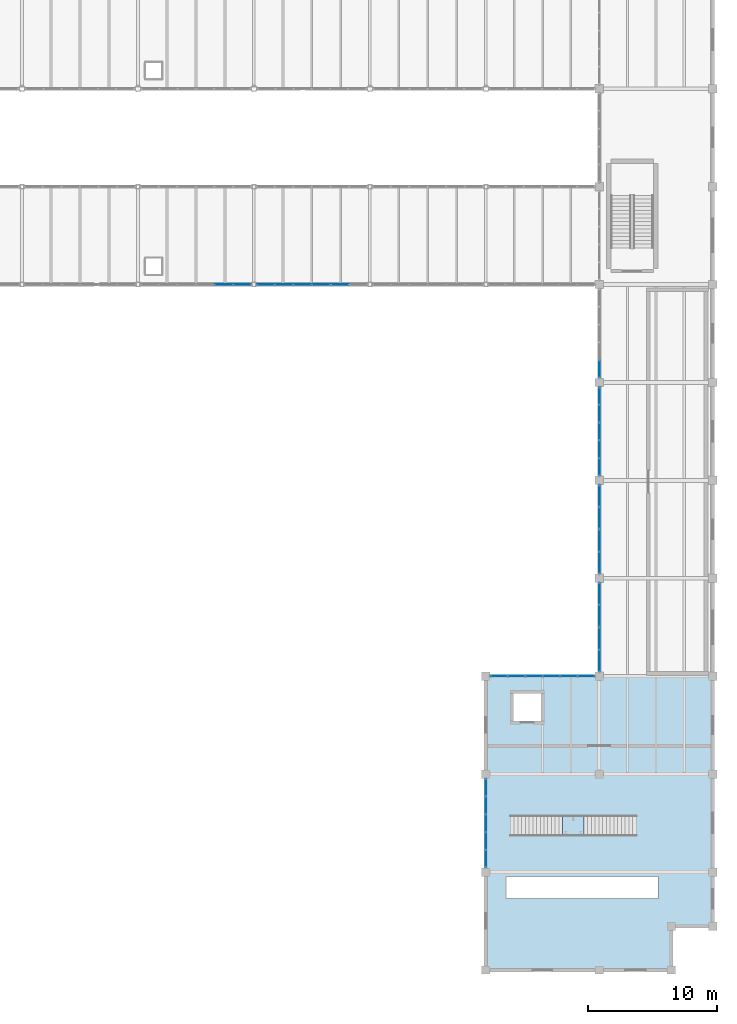
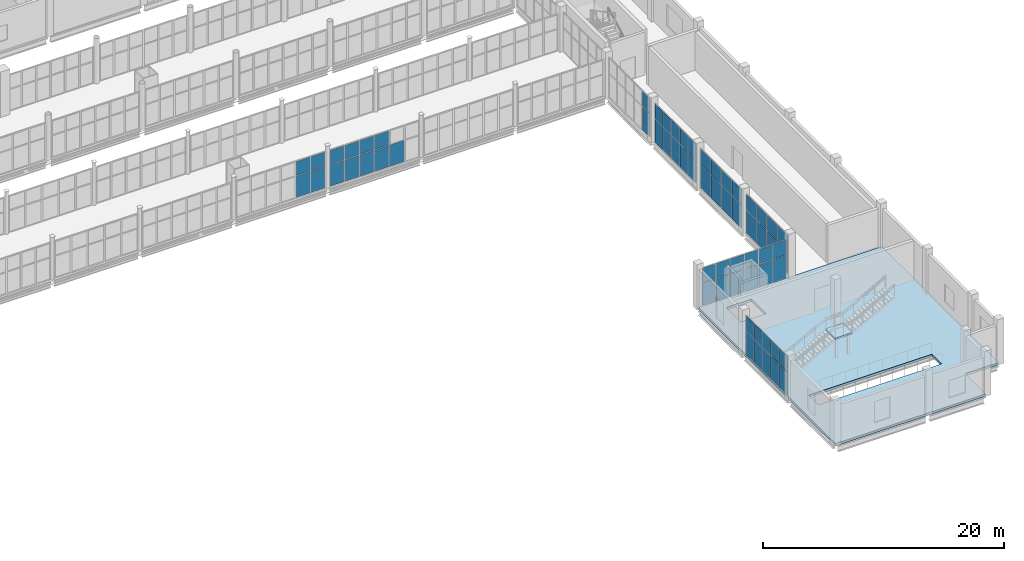
# One storey, part 137 of 172: 63 plates, 2 slabs, 11 elements without a shape of their own.
"""IFC4 building model written with IfcOpenShell, lengths in metres."""

from ifc_helpers import new_model, si_unit, direction, frame, origin, origin_2d, place, context, subcontext, project, spatial, polyline, rectangle, outline, extrude, material, layer, layer_set, type_object, element, aggregate, save


model = new_model("IFC4")

# Units and contexts
model_context = context("Model", 3, precision=1e-05, world=origin(), true_north=direction((0.0, 1.0)))
body_context = subcontext(model_context, "Body", "Model", "MODEL_VIEW")
ifc_project = project(units=[si_unit("LENGTHUNIT", "METRE"), si_unit("AREAUNIT", "SQUARE_METRE"), si_unit("VOLUMEUNIT", "CUBIC_METRE"), si_unit("PLANEANGLEUNIT", "RADIAN"), si_unit("MASSUNIT", "GRAM", prefix="KILO")], contexts=[model_context])

# Site, building, storey
site_placement = place(None, origin())
site = spatial("IfcSite", under=ifc_project, at=site_placement, CompositionType="ELEMENT")
building_placement = place(site_placement, origin())
building = spatial("IfcBuilding", under=site, at=building_placement, Name="Shengluoqiao Park Theatre", CompositionType="ELEMENT")
storey_placement = place(building_placement, frame((0.0, 0.0, 5.39990234375)))
storey = spatial("IfcBuildingStorey", under=building, at=storey_placement, Name="L01", CompositionType="ELEMENT", Elevation=5.39990234375)

# Curtain wall, plates
ifc_material_1 = material(Name="Aluminium 6063-T6", Category="aluminium")
curtain_wall_type_1 = type_object("IfcCurtainWallType", Name="ENV-CW-BRIDGE", PredefinedType="NOTDEFINED", material=ifc_material_1)
curtain_wall_1_placement = place(storey_placement, origin())
curtain_wall_1 = element("IfcCurtainWall", 1, at=curtain_wall_1_placement, inside=storey, type_object=curtain_wall_type_1, Name="L01 Curtain Wall CWX-L01-0132", PredefinedType="NOTDEFINED")
ifc_material_2 = material(Name="Insulated glass", Category="glass")
ifc_layer_1 = layer(ifc_material_2, 0.0380859375, Name="Insulated glass")
ifc_layer_set_1 = layer_set([ifc_layer_1], Name="Insulated glass")
plate_type = type_object("IfcPlateType", Name="ENV-GLZ-GL-38", PredefinedType="CURTAIN_PANEL", material=ifc_layer_set_1)
plate_1_placement = place(storey_placement, frame((128.05908203125, 53.199951171875, 0.06005859375), z_axis=(0.0, 0.0, 1.0), x_axis=(1.0, 0.0, 0.0)))
plate_1 = element("IfcPlate", 2, at=plate_1_placement, type_object=plate_type, Name="CW-03 panel 5.1", PredefinedType="CURTAIN_PANEL", context=body_context, shape_type="SweptSolid", body=[
    extrude(rectangle(XDim=1.37939453125, YDim=0.0380859375, at=origin_2d()), origin(), (0.0, 0.0, 1.0), 2.160888671875),
])
plate_2_placement = place(storey_placement, frame((128.05908203125, 53.199951171875, 2.28125), z_axis=(0.0, 0.0, 1.0), x_axis=(1.0, 0.0, 0.0)))
plate_2 = element("IfcPlate", 3, at=plate_2_placement, type_object=plate_type, Name="CW-03 panel 5.2", PredefinedType="CURTAIN_PANEL", context=body_context, shape_type="SweptSolid", body=[
    extrude(rectangle(XDim=1.37939453125, YDim=0.0380859375, at=origin_2d()), origin(), (0.0, 0.0, 1.0), 1.410888671875),
])
plate_3_placement = place(storey_placement, frame((129.4833984375, 53.199951171875, 0.06005859375), z_axis=(0.0, 0.0, 1.0), x_axis=(1.0, 0.0, 0.0)))
plate_3 = element("IfcPlate", 4, at=plate_3_placement, type_object=plate_type, Name="CW-03 panel 6.1", PredefinedType="CURTAIN_PANEL", context=body_context, shape_type="SweptSolid", body=[
    extrude(rectangle(XDim=1.349365234375, YDim=0.0380859375, at=origin_2d()), origin(), (0.0, 0.0, 1.0), 2.160888671875),
])
plate_4_placement = place(storey_placement, frame((129.4833984375, 53.199951171875, 2.28125), z_axis=(0.0, 0.0, 1.0), x_axis=(1.0, 0.0, 0.0)))
plate_4 = element("IfcPlate", 5, at=plate_4_placement, type_object=plate_type, Name="CW-03 panel 6.2", PredefinedType="CURTAIN_PANEL", context=body_context, shape_type="SweptSolid", body=[
    extrude(rectangle(XDim=1.349365234375, YDim=0.0380859375, at=origin_2d()), origin(), (0.0, 0.0, 1.0), 1.410888671875),
])
aggregate(curtain_wall_1, [plate_1, plate_2, plate_3, plate_4])

curtain_wall_2_placement = place(storey_placement, origin())
curtain_wall_2 = element("IfcCurtainWall", 6, at=curtain_wall_2_placement, inside=storey, type_object=curtain_wall_type_1, Name="L01 Curtain Wall CWX-L01-0133", PredefinedType="NOTDEFINED")
plate_5_placement = place(storey_placement, frame((131.316650390625, 53.199951171875, 0.06005859375), z_axis=(0.0, 0.0, 1.0), x_axis=(1.0, 0.0, 0.0)))
plate_5 = element("IfcPlate", 7, at=plate_5_placement, type_object=plate_type, Name="CW-03 panel 1.1", PredefinedType="CURTAIN_PANEL", context=body_context, shape_type="SweptSolid", body=[
    extrude(rectangle(XDim=1.349365234375, YDim=0.0380859375, at=origin_2d()), origin(), (0.0, 0.0, 1.0), 2.160888671875),
])
plate_6_placement = place(storey_placement, frame((131.316650390625, 53.199951171875, 2.28125), z_axis=(0.0, 0.0, 1.0), x_axis=(1.0, 0.0, 0.0)))
plate_6 = element("IfcPlate", 8, at=plate_6_placement, type_object=plate_type, Name="CW-03 panel 1.2", PredefinedType="CURTAIN_PANEL", context=body_context, shape_type="SweptSolid", body=[
    extrude(rectangle(XDim=1.349365234375, YDim=0.0380859375, at=origin_2d()), origin(), (0.0, 0.0, 1.0), 1.410888671875),
])
plate_7_placement = place(storey_placement, frame((132.740966796875, 53.199951171875, 0.06005859375), z_axis=(0.0, 0.0, 1.0), x_axis=(1.0, 0.0, 0.0)))
plate_7 = element("IfcPlate", 9, at=plate_7_placement, type_object=plate_type, Name="CW-03 panel 2.1", PredefinedType="CURTAIN_PANEL", context=body_context, shape_type="SweptSolid", body=[
    extrude(rectangle(XDim=1.37939453125, YDim=0.0380859375, at=origin_2d()), origin(), (0.0, 0.0, 1.0), 2.160888671875),
])
plate_8_placement = place(storey_placement, frame((132.740966796875, 53.199951171875, 2.28125), z_axis=(0.0, 0.0, 1.0), x_axis=(1.0, 0.0, 0.0)))
plate_8 = element("IfcPlate", 10, at=plate_8_placement, type_object=plate_type, Name="CW-03 panel 2.2", PredefinedType="CURTAIN_PANEL", context=body_context, shape_type="SweptSolid", body=[
    extrude(rectangle(XDim=1.37939453125, YDim=0.0380859375, at=origin_2d()), origin(), (0.0, 0.0, 1.0), 1.410888671875),
])
plate_9_placement = place(storey_placement, frame((134.180419921875, 53.199951171875, 0.06005859375), z_axis=(0.0, 0.0, 1.0), x_axis=(1.0, 0.0, 0.0)))
plate_9 = element("IfcPlate", 11, at=plate_9_placement, type_object=plate_type, Name="CW-03 panel 3.1", PredefinedType="CURTAIN_PANEL", context=body_context, shape_type="SweptSolid", body=[
    extrude(rectangle(XDim=1.37939453125, YDim=0.0380859375, at=origin_2d()), origin(), (0.0, 0.0, 1.0), 2.160888671875),
])
plate_10_placement = place(storey_placement, frame((134.180419921875, 53.199951171875, 2.28125), z_axis=(0.0, 0.0, 1.0), x_axis=(1.0, 0.0, 0.0)))
plate_10 = element("IfcPlate", 12, at=plate_10_placement, type_object=plate_type, Name="CW-03 panel 3.2", PredefinedType="CURTAIN_PANEL", context=body_context, shape_type="SweptSolid", body=[
    extrude(rectangle(XDim=1.37939453125, YDim=0.0380859375, at=origin_2d()), origin(), (0.0, 0.0, 1.0), 1.410888671875),
])
plate_11_placement = place(storey_placement, frame((135.61962890625, 53.199951171875, 0.06005859375), z_axis=(0.0, 0.0, 1.0), x_axis=(1.0, 0.0, 0.0)))
plate_11 = element("IfcPlate", 13, at=plate_11_placement, type_object=plate_type, Name="CW-03 panel 4.1", PredefinedType="CURTAIN_PANEL", context=body_context, shape_type="SweptSolid", body=[
    extrude(rectangle(XDim=1.37939453125, YDim=0.0380859375, at=origin_2d()), origin(), (0.0, 0.0, 1.0), 2.160888671875),
])
plate_12_placement = place(storey_placement, frame((135.61962890625, 53.199951171875, 2.28125), z_axis=(0.0, 0.0, 1.0), x_axis=(1.0, 0.0, 0.0)))
plate_12 = element("IfcPlate", 14, at=plate_12_placement, type_object=plate_type, Name="CW-03 panel 4.2", PredefinedType="CURTAIN_PANEL", context=body_context, shape_type="SweptSolid", body=[
    extrude(rectangle(XDim=1.37939453125, YDim=0.0380859375, at=origin_2d()), origin(), (0.0, 0.0, 1.0), 1.410888671875),
])
plate_13_placement = place(storey_placement, frame((137.05908203125, 53.199951171875, 0.06005859375), z_axis=(0.0, 0.0, 1.0), x_axis=(1.0, 0.0, 0.0)))
plate_13 = element("IfcPlate", 15, at=plate_13_placement, type_object=plate_type, Name="CW-03 panel 5.1", PredefinedType="CURTAIN_PANEL", context=body_context, shape_type="SweptSolid", body=[
    extrude(rectangle(XDim=1.37939453125, YDim=0.0380859375, at=origin_2d()), origin(), (0.0, 0.0, 1.0), 2.160888671875),
])
aggregate(curtain_wall_2, [plate_5, plate_6, plate_7, plate_8, plate_9, plate_10, plate_11, plate_12, plate_13])

curtain_wall_type_2 = type_object("IfcCurtainWallType", Name="ENV-CW-COURT", PredefinedType="NOTDEFINED", material=ifc_material_1)
curtain_wall_3_placement = place(storey_placement, origin())
curtain_wall_3 = element("IfcCurtainWall", 16, at=curtain_wall_3_placement, inside=storey, type_object=curtain_wall_type_2, Name="L01 Curtain Wall CWX-L01-0179", PredefinedType="NOTDEFINED")
plate_14_placement = place(storey_placement, frame((157.199951171875, 24.01171875, 0.06005859375), z_axis=(0.0, 0.0, 1.0), x_axis=(0.0, 1.0, 0.0)))
plate_14 = element("IfcPlate", 17, at=plate_14_placement, type_object=plate_type, Name="CW-05 panel 1.1", PredefinedType="CURTAIN_PANEL", context=body_context, shape_type="SweptSolid", body=[
    extrude(rectangle(XDim=1.6455078125, YDim=0.0380859375, at=origin_2d()), origin(), (0.0, 0.0, 1.0), 2.3359375),
])
plate_15_placement = place(storey_placement, frame((157.199951171875, 24.01171875, 2.4560546875), z_axis=(0.0, 0.0, 1.0), x_axis=(0.0, 1.0, 0.0)))
plate_15 = element("IfcPlate", 18, at=plate_15_placement, type_object=plate_type, Name="CW-05 panel 1.2", PredefinedType="CURTAIN_PANEL", context=body_context, shape_type="SweptSolid", body=[
    extrude(rectangle(XDim=1.6455078125, YDim=0.0380859375, at=origin_2d()), origin(), (0.0, 0.0, 1.0), 1.528076171875),
])
plate_16_placement = place(storey_placement, frame((157.199951171875, 25.71728515625, 0.06005859375), z_axis=(0.0, 0.0, 1.0), x_axis=(0.0, 1.0, 0.0)))
plate_16 = element("IfcPlate", 19, at=plate_16_placement, type_object=plate_type, Name="CW-05 panel 2.1", PredefinedType="CURTAIN_PANEL", context=body_context, shape_type="SweptSolid", body=[
    extrude(rectangle(XDim=1.6455078125, YDim=0.0380859375, at=origin_2d()), origin(), (0.0, 0.0, 1.0), 2.3359375),
])
plate_17_placement = place(storey_placement, frame((157.199951171875, 25.71728515625, 2.4560546875), z_axis=(0.0, 0.0, 1.0), x_axis=(0.0, 1.0, 0.0)))
plate_17 = element("IfcPlate", 20, at=plate_17_placement, type_object=plate_type, Name="CW-05 panel 2.2", PredefinedType="CURTAIN_PANEL", context=body_context, shape_type="SweptSolid", body=[
    extrude(rectangle(XDim=1.6455078125, YDim=0.0380859375, at=origin_2d()), origin(), (0.0, 0.0, 1.0), 1.528076171875),
])
aggregate(curtain_wall_3, [plate_14, plate_15, plate_16, plate_17])

curtain_wall_4_placement = place(storey_placement, origin())
curtain_wall_4 = element("IfcCurtainWall", 21, at=curtain_wall_4_placement, inside=storey, type_object=curtain_wall_type_2, Name="L01 Curtain Wall CWX-L01-0180", PredefinedType="NOTDEFINED")
plate_18_placement = place(storey_placement, frame((157.199951171875, 27.482666015625, 0.06005859375), z_axis=(0.0, 0.0, 1.0), x_axis=(0.0, 1.0, 0.0)))
plate_18 = element("IfcPlate", 22, at=plate_18_placement, type_object=plate_type, Name="CW-05 panel 1.1", PredefinedType="CURTAIN_PANEL", context=body_context, shape_type="SweptSolid", body=[
    extrude(rectangle(XDim=1.6455078125, YDim=0.0380859375, at=origin_2d()), origin(), (0.0, 0.0, 1.0), 2.3359375),
])
plate_19_placement = place(storey_placement, frame((157.199951171875, 27.482666015625, 2.4560546875), z_axis=(0.0, 0.0, 1.0), x_axis=(0.0, 1.0, 0.0)))
plate_19 = element("IfcPlate", 23, at=plate_19_placement, type_object=plate_type, Name="CW-05 panel 1.2", PredefinedType="CURTAIN_PANEL", context=body_context, shape_type="SweptSolid", body=[
    extrude(rectangle(XDim=1.6455078125, YDim=0.0380859375, at=origin_2d()), origin(), (0.0, 0.0, 1.0), 1.528076171875),
])
plate_20_placement = place(storey_placement, frame((157.199951171875, 29.188232421875, 0.06005859375), z_axis=(0.0, 0.0, 1.0), x_axis=(0.0, 1.0, 0.0)))
plate_20 = element("IfcPlate", 24, at=plate_20_placement, type_object=plate_type, Name="CW-05 panel 2.1", PredefinedType="CURTAIN_PANEL", context=body_context, shape_type="SweptSolid", body=[
    extrude(rectangle(XDim=1.6455078125, YDim=0.0380859375, at=origin_2d()), origin(), (0.0, 0.0, 1.0), 2.3359375),
])
plate_21_placement = place(storey_placement, frame((157.199951171875, 29.188232421875, 2.4560546875), z_axis=(0.0, 0.0, 1.0), x_axis=(0.0, 1.0, 0.0)))
plate_21 = element("IfcPlate", 25, at=plate_21_placement, type_object=plate_type, Name="CW-05 panel 2.2", PredefinedType="CURTAIN_PANEL", context=body_context, shape_type="SweptSolid", body=[
    extrude(rectangle(XDim=1.6455078125, YDim=0.0380859375, at=origin_2d()), origin(), (0.0, 0.0, 1.0), 1.528076171875),
])
aggregate(curtain_wall_4, [plate_18, plate_19, plate_20, plate_21])

curtain_wall_5_placement = place(storey_placement, origin())
curtain_wall_5 = element("IfcCurtainWall", 26, at=curtain_wall_5_placement, inside=storey, type_object=curtain_wall_type_2, Name="L01 Curtain Wall CWX-L01-0181", PredefinedType="NOTDEFINED")
plate_22_placement = place(storey_placement, frame((157.199951171875, 31.61181640625, 0.06005859375), z_axis=(0.0, 0.0, 1.0), x_axis=(0.0, 1.0, 0.0)))
plate_22 = element("IfcPlate", 27, at=plate_22_placement, type_object=plate_type, Name="CW-05 panel 1.1", PredefinedType="CURTAIN_PANEL", context=body_context, shape_type="SweptSolid", body=[
    extrude(rectangle(XDim=1.6455078125, YDim=0.0380859375, at=origin_2d()), origin(), (0.0, 0.0, 1.0), 2.3359375),
])
plate_23_placement = place(storey_placement, frame((157.199951171875, 31.61181640625, 2.4560546875), z_axis=(0.0, 0.0, 1.0), x_axis=(0.0, 1.0, 0.0)))
plate_23 = element("IfcPlate", 28, at=plate_23_placement, type_object=plate_type, Name="CW-05 panel 1.2", PredefinedType="CURTAIN_PANEL", context=body_context, shape_type="SweptSolid", body=[
    extrude(rectangle(XDim=1.6455078125, YDim=0.0380859375, at=origin_2d()), origin(), (0.0, 0.0, 1.0), 1.528076171875),
])
plate_24_placement = place(storey_placement, frame((157.199951171875, 33.317138671875, 0.06005859375), z_axis=(0.0, 0.0, 1.0), x_axis=(0.0, 1.0, 0.0)))
plate_24 = element("IfcPlate", 29, at=plate_24_placement, type_object=plate_type, Name="CW-05 panel 2.1", PredefinedType="CURTAIN_PANEL", context=body_context, shape_type="SweptSolid", body=[
    extrude(rectangle(XDim=1.6455078125, YDim=0.0380859375, at=origin_2d()), origin(), (0.0, 0.0, 1.0), 2.3359375),
])
plate_25_placement = place(storey_placement, frame((157.199951171875, 33.317138671875, 2.4560546875), z_axis=(0.0, 0.0, 1.0), x_axis=(0.0, 1.0, 0.0)))
plate_25 = element("IfcPlate", 30, at=plate_25_placement, type_object=plate_type, Name="CW-05 panel 2.2", PredefinedType="CURTAIN_PANEL", context=body_context, shape_type="SweptSolid", body=[
    extrude(rectangle(XDim=1.6455078125, YDim=0.0380859375, at=origin_2d()), origin(), (0.0, 0.0, 1.0), 1.528076171875),
])
aggregate(curtain_wall_5, [plate_22, plate_23, plate_24, plate_25])

curtain_wall_6_placement = place(storey_placement, origin())
curtain_wall_6 = element("IfcCurtainWall", 31, at=curtain_wall_6_placement, inside=storey, type_object=curtain_wall_type_2, Name="L01 Curtain Wall CWX-L01-0182", PredefinedType="NOTDEFINED")
plate_26_placement = place(storey_placement, frame((157.199951171875, 35.082763671875, 0.06005859375), z_axis=(0.0, 0.0, 1.0), x_axis=(0.0, 1.0, 0.0)))
plate_26 = element("IfcPlate", 32, at=plate_26_placement, type_object=plate_type, Name="CW-05 panel 1.1", PredefinedType="CURTAIN_PANEL", context=body_context, shape_type="SweptSolid", body=[
    extrude(rectangle(XDim=1.6455078125, YDim=0.0380859375, at=origin_2d()), origin(), (0.0, 0.0, 1.0), 2.3359375),
])
plate_27_placement = place(storey_placement, frame((157.199951171875, 35.082763671875, 2.4560546875), z_axis=(0.0, 0.0, 1.0), x_axis=(0.0, 1.0, 0.0)))
plate_27 = element("IfcPlate", 33, at=plate_27_placement, type_object=plate_type, Name="CW-05 panel 1.2", PredefinedType="CURTAIN_PANEL", context=body_context, shape_type="SweptSolid", body=[
    extrude(rectangle(XDim=1.6455078125, YDim=0.0380859375, at=origin_2d()), origin(), (0.0, 0.0, 1.0), 1.528076171875),
])
plate_28_placement = place(storey_placement, frame((157.199951171875, 36.788330078125, 0.06005859375), z_axis=(0.0, 0.0, 1.0), x_axis=(0.0, 1.0, 0.0)))
plate_28 = element("IfcPlate", 34, at=plate_28_placement, type_object=plate_type, Name="CW-05 panel 2.1", PredefinedType="CURTAIN_PANEL", context=body_context, shape_type="SweptSolid", body=[
    extrude(rectangle(XDim=1.6455078125, YDim=0.0380859375, at=origin_2d()), origin(), (0.0, 0.0, 1.0), 2.3359375),
])
plate_29_placement = place(storey_placement, frame((157.199951171875, 36.788330078125, 2.4560546875), z_axis=(0.0, 0.0, 1.0), x_axis=(0.0, 1.0, 0.0)))
plate_29 = element("IfcPlate", 35, at=plate_29_placement, type_object=plate_type, Name="CW-05 panel 2.2", PredefinedType="CURTAIN_PANEL", context=body_context, shape_type="SweptSolid", body=[
    extrude(rectangle(XDim=1.6455078125, YDim=0.0380859375, at=origin_2d()), origin(), (0.0, 0.0, 1.0), 1.528076171875),
])
aggregate(curtain_wall_6, [plate_26, plate_27, plate_28, plate_29])

curtain_wall_7_placement = place(storey_placement, origin())
curtain_wall_7 = element("IfcCurtainWall", 36, at=curtain_wall_7_placement, inside=storey, type_object=curtain_wall_type_2, Name="L01 Curtain Wall CWX-L01-0183", PredefinedType="NOTDEFINED")
plate_30_placement = place(storey_placement, frame((157.199951171875, 39.0380859375, 0.06005859375), z_axis=(0.0, 0.0, 1.0), x_axis=(0.0, 1.0, 0.0)))
plate_30 = element("IfcPlate", 37, at=plate_30_placement, type_object=plate_type, Name="CW-05 panel 1.1", PredefinedType="CURTAIN_PANEL", context=body_context, shape_type="SweptSolid", body=[
    extrude(rectangle(XDim=1.29833984375, YDim=0.0380859375, at=origin_2d()), origin(), (0.0, 0.0, 1.0), 2.3359375),
])
plate_31_placement = place(storey_placement, frame((157.199951171875, 39.0380859375, 2.4560546875), z_axis=(0.0, 0.0, 1.0), x_axis=(0.0, 1.0, 0.0)))
plate_31 = element("IfcPlate", 38, at=plate_31_placement, type_object=plate_type, Name="CW-05 panel 1.2", PredefinedType="CURTAIN_PANEL", context=body_context, shape_type="SweptSolid", body=[
    extrude(rectangle(XDim=1.29833984375, YDim=0.0380859375, at=origin_2d()), origin(), (0.0, 0.0, 1.0), 1.528076171875),
])
plate_32_placement = place(storey_placement, frame((157.199951171875, 40.41162109375, 0.06005859375), z_axis=(0.0, 0.0, 1.0), x_axis=(0.0, 1.0, 0.0)))
plate_32 = element("IfcPlate", 39, at=plate_32_placement, type_object=plate_type, Name="CW-05 panel 2.1", PredefinedType="CURTAIN_PANEL", context=body_context, shape_type="SweptSolid", body=[
    extrude(rectangle(XDim=1.328369140625, YDim=0.0380859375, at=origin_2d()), origin(), (0.0, 0.0, 1.0), 2.3359375),
])
plate_33_placement = place(storey_placement, frame((157.199951171875, 40.41162109375, 2.4560546875), z_axis=(0.0, 0.0, 1.0), x_axis=(0.0, 1.0, 0.0)))
plate_33 = element("IfcPlate", 40, at=plate_33_placement, type_object=plate_type, Name="CW-05 panel 2.2", PredefinedType="CURTAIN_PANEL", context=body_context, shape_type="SweptSolid", body=[
    extrude(rectangle(XDim=1.328369140625, YDim=0.0380859375, at=origin_2d()), origin(), (0.0, 0.0, 1.0), 1.528076171875),
])
plate_34_placement = place(storey_placement, frame((157.199951171875, 41.800048828125, 0.06005859375), z_axis=(0.0, 0.0, 1.0), x_axis=(0.0, 1.0, 0.0)))
plate_34 = element("IfcPlate", 41, at=plate_34_placement, type_object=plate_type, Name="CW-05 panel 3.1", PredefinedType="CURTAIN_PANEL", context=body_context, shape_type="SweptSolid", body=[
    extrude(rectangle(XDim=1.328369140625, YDim=0.0380859375, at=origin_2d()), origin(), (0.0, 0.0, 1.0), 2.3359375),
])
plate_35_placement = place(storey_placement, frame((157.199951171875, 41.800048828125, 2.4560546875), z_axis=(0.0, 0.0, 1.0), x_axis=(0.0, 1.0, 0.0)))
plate_35 = element("IfcPlate", 42, at=plate_35_placement, type_object=plate_type, Name="CW-05 panel 3.2", PredefinedType="CURTAIN_PANEL", context=body_context, shape_type="SweptSolid", body=[
    extrude(rectangle(XDim=1.328369140625, YDim=0.0380859375, at=origin_2d()), origin(), (0.0, 0.0, 1.0), 1.528076171875),
])
plate_36_placement = place(storey_placement, frame((157.199951171875, 43.1884765625, 0.06005859375), z_axis=(0.0, 0.0, 1.0), x_axis=(0.0, 1.0, 0.0)))
plate_36 = element("IfcPlate", 43, at=plate_36_placement, type_object=plate_type, Name="CW-05 panel 4.1", PredefinedType="CURTAIN_PANEL", context=body_context, shape_type="SweptSolid", body=[
    extrude(rectangle(XDim=1.328369140625, YDim=0.0380859375, at=origin_2d()), origin(), (0.0, 0.0, 1.0), 2.3359375),
])
plate_37_placement = place(storey_placement, frame((157.199951171875, 43.1884765625, 2.4560546875), z_axis=(0.0, 0.0, 1.0), x_axis=(0.0, 1.0, 0.0)))
plate_37 = element("IfcPlate", 44, at=plate_37_placement, type_object=plate_type, Name="CW-05 panel 4.2", PredefinedType="CURTAIN_PANEL", context=body_context, shape_type="SweptSolid", body=[
    extrude(rectangle(XDim=1.328369140625, YDim=0.0380859375, at=origin_2d()), origin(), (0.0, 0.0, 1.0), 1.528076171875),
])
plate_38_placement = place(storey_placement, frame((157.199951171875, 44.561767578125, 0.06005859375), z_axis=(0.0, 0.0, 1.0), x_axis=(0.0, 1.0, 0.0)))
plate_38 = element("IfcPlate", 45, at=plate_38_placement, type_object=plate_type, Name="CW-05 panel 5.1", PredefinedType="CURTAIN_PANEL", context=body_context, shape_type="SweptSolid", body=[
    extrude(rectangle(XDim=1.29833984375, YDim=0.0380859375, at=origin_2d()), origin(), (0.0, 0.0, 1.0), 2.3359375),
])
plate_39_placement = place(storey_placement, frame((157.199951171875, 44.561767578125, 2.4560546875), z_axis=(0.0, 0.0, 1.0), x_axis=(0.0, 1.0, 0.0)))
plate_39 = element("IfcPlate", 46, at=plate_39_placement, type_object=plate_type, Name="CW-05 panel 5.2", PredefinedType="CURTAIN_PANEL", context=body_context, shape_type="SweptSolid", body=[
    extrude(rectangle(XDim=1.29833984375, YDim=0.0380859375, at=origin_2d()), origin(), (0.0, 0.0, 1.0), 1.528076171875),
])
aggregate(curtain_wall_7, [plate_30, plate_31, plate_32, plate_33, plate_34, plate_35, plate_36, plate_37, plate_38, plate_39])

curtain_wall_8_placement = place(storey_placement, origin())
curtain_wall_8 = element("IfcCurtainWall", 47, at=curtain_wall_8_placement, inside=storey, type_object=curtain_wall_type_2, Name="L01 Curtain Wall CWX-L01-0184", PredefinedType="NOTDEFINED")
plate_40_placement = place(storey_placement, frame((157.199951171875, 46.63818359375, 0.06005859375), z_axis=(0.0, 0.0, 1.0), x_axis=(0.0, 1.0, 0.0)))
plate_40 = element("IfcPlate", 48, at=plate_40_placement, type_object=plate_type, Name="CW-05 panel 1.1", PredefinedType="CURTAIN_PANEL", context=body_context, shape_type="SweptSolid", body=[
    extrude(rectangle(XDim=1.29833984375, YDim=0.0380859375, at=origin_2d()), origin(), (0.0, 0.0, 1.0), 2.3359375),
])
plate_41_placement = place(storey_placement, frame((157.199951171875, 46.63818359375, 2.4560546875), z_axis=(0.0, 0.0, 1.0), x_axis=(0.0, 1.0, 0.0)))
plate_41 = element("IfcPlate", 49, at=plate_41_placement, type_object=plate_type, Name="CW-05 panel 1.2", PredefinedType="CURTAIN_PANEL", context=body_context, shape_type="SweptSolid", body=[
    extrude(rectangle(XDim=1.29833984375, YDim=0.0380859375, at=origin_2d()), origin(), (0.0, 0.0, 1.0), 1.528076171875),
])
aggregate(curtain_wall_8, [plate_40, plate_41])

curtain_wall_9_placement = place(storey_placement, origin())
curtain_wall_9 = element("IfcCurtainWall", 50, at=curtain_wall_9_placement, inside=storey, type_object=curtain_wall_type_2, Name="L01 Curtain Wall CWX-L01-0205", PredefinedType="NOTDEFINED")
plate_42_placement = place(storey_placement, frame((148.39990234375, 8.63818359375, 0.06005859375), z_axis=(0.0, 0.0, 1.0), x_axis=(0.0, 1.0, 0.0)))
plate_42 = element("IfcPlate", 51, at=plate_42_placement, type_object=plate_type, Name="CW-05 panel 1.1", PredefinedType="CURTAIN_PANEL", context=body_context, shape_type="SweptSolid", body=[
    extrude(rectangle(XDim=1.29833984375, YDim=0.0380859375, at=origin_2d()), origin(), (0.0, 0.0, 1.0), 2.3359375),
])
plate_43_placement = place(storey_placement, frame((148.39990234375, 8.63818359375, 2.4560546875), z_axis=(0.0, 0.0, 1.0), x_axis=(0.0, 1.0, 0.0)))
plate_43 = element("IfcPlate", 52, at=plate_43_placement, type_object=plate_type, Name="CW-05 panel 1.2", PredefinedType="CURTAIN_PANEL", context=body_context, shape_type="SweptSolid", body=[
    extrude(rectangle(XDim=1.29833984375, YDim=0.0380859375, at=origin_2d()), origin(), (0.0, 0.0, 1.0), 1.528076171875),
])
plate_44_placement = place(storey_placement, frame((148.39990234375, 10.01171875, 0.06005859375), z_axis=(0.0, 0.0, 1.0), x_axis=(0.0, 1.0, 0.0)))
plate_44 = element("IfcPlate", 53, at=plate_44_placement, type_object=plate_type, Name="CW-05 panel 2.1", PredefinedType="CURTAIN_PANEL", context=body_context, shape_type="SweptSolid", body=[
    extrude(rectangle(XDim=1.328369140625, YDim=0.0380859375, at=origin_2d()), origin(), (0.0, 0.0, 1.0), 2.3359375),
])
plate_45_placement = place(storey_placement, frame((148.39990234375, 10.01171875, 2.4560546875), z_axis=(0.0, 0.0, 1.0), x_axis=(0.0, 1.0, 0.0)))
plate_45 = element("IfcPlate", 54, at=plate_45_placement, type_object=plate_type, Name="CW-05 panel 2.2", PredefinedType="CURTAIN_PANEL", context=body_context, shape_type="SweptSolid", body=[
    extrude(rectangle(XDim=1.328369140625, YDim=0.0380859375, at=origin_2d()), origin(), (0.0, 0.0, 1.0), 1.528076171875),
])
plate_46_placement = place(storey_placement, frame((148.39990234375, 11.39990234375, 0.06005859375), z_axis=(0.0, 0.0, 1.0), x_axis=(0.0, 1.0, 0.0)))
plate_46 = element("IfcPlate", 55, at=plate_46_placement, type_object=plate_type, Name="CW-05 panel 3.1", PredefinedType="CURTAIN_PANEL", context=body_context, shape_type="SweptSolid", body=[
    extrude(rectangle(XDim=1.328369140625, YDim=0.0380859375, at=origin_2d()), origin(), (0.0, 0.0, 1.0), 2.3359375),
])
plate_47_placement = place(storey_placement, frame((148.39990234375, 11.39990234375, 2.4560546875), z_axis=(0.0, 0.0, 1.0), x_axis=(0.0, 1.0, 0.0)))
plate_47 = element("IfcPlate", 56, at=plate_47_placement, type_object=plate_type, Name="CW-05 panel 3.2", PredefinedType="CURTAIN_PANEL", context=body_context, shape_type="SweptSolid", body=[
    extrude(rectangle(XDim=1.328369140625, YDim=0.0380859375, at=origin_2d()), origin(), (0.0, 0.0, 1.0), 1.528076171875),
])
plate_48_placement = place(storey_placement, frame((148.39990234375, 12.788330078125, 0.06005859375), z_axis=(0.0, 0.0, 1.0), x_axis=(0.0, 1.0, 0.0)))
plate_48 = element("IfcPlate", 57, at=plate_48_placement, type_object=plate_type, Name="CW-05 panel 4.1", PredefinedType="CURTAIN_PANEL", context=body_context, shape_type="SweptSolid", body=[
    extrude(rectangle(XDim=1.328369140625, YDim=0.0380859375, at=origin_2d()), origin(), (0.0, 0.0, 1.0), 2.3359375),
])
plate_49_placement = place(storey_placement, frame((148.39990234375, 12.788330078125, 2.4560546875), z_axis=(0.0, 0.0, 1.0), x_axis=(0.0, 1.0, 0.0)))
plate_49 = element("IfcPlate", 58, at=plate_49_placement, type_object=plate_type, Name="CW-05 panel 4.2", PredefinedType="CURTAIN_PANEL", context=body_context, shape_type="SweptSolid", body=[
    extrude(rectangle(XDim=1.328369140625, YDim=0.0380859375, at=origin_2d()), origin(), (0.0, 0.0, 1.0), 1.528076171875),
])
plate_50_placement = place(storey_placement, frame((148.39990234375, 14.161865234375, 0.06005859375), z_axis=(0.0, 0.0, 1.0), x_axis=(0.0, 1.0, 0.0)))
plate_50 = element("IfcPlate", 59, at=plate_50_placement, type_object=plate_type, Name="CW-05 panel 5.1", PredefinedType="CURTAIN_PANEL", context=body_context, shape_type="SweptSolid", body=[
    extrude(rectangle(XDim=1.29833984375, YDim=0.0380859375, at=origin_2d()), origin(), (0.0, 0.0, 1.0), 2.3359375),
])
plate_51_placement = place(storey_placement, frame((148.39990234375, 14.161865234375, 2.4560546875), z_axis=(0.0, 0.0, 1.0), x_axis=(0.0, 1.0, 0.0)))
plate_51 = element("IfcPlate", 60, at=plate_51_placement, type_object=plate_type, Name="CW-05 panel 5.2", PredefinedType="CURTAIN_PANEL", context=body_context, shape_type="SweptSolid", body=[
    extrude(rectangle(XDim=1.29833984375, YDim=0.0380859375, at=origin_2d()), origin(), (0.0, 0.0, 1.0), 1.528076171875),
])
aggregate(curtain_wall_9, [plate_42, plate_43, plate_44, plate_45, plate_46, plate_47, plate_48, plate_49, plate_50, plate_51])

curtain_wall_10_placement = place(storey_placement, origin())
curtain_wall_10 = element("IfcCurtainWall", 61, at=curtain_wall_10_placement, inside=storey, type_object=curtain_wall_type_2, Name="L01 Curtain Wall CWX-L01-0206", PredefinedType="NOTDEFINED")
plate_52_placement = place(storey_placement, frame((149.422607421875, 22.800048828125, 0.06005859375), z_axis=(0.0, 0.0, 1.0), x_axis=(1.0, 0.0, 0.0)))
plate_52 = element("IfcPlate", 62, at=plate_52_placement, type_object=plate_type, Name="CW-05 panel 1.1", PredefinedType="CURTAIN_PANEL", context=body_context, shape_type="SweptSolid", body=[
    extrude(rectangle(XDim=1.26708984375, YDim=0.0380859375, at=origin_2d()), origin(), (0.0, 0.0, 1.0), 2.2490234375),
])
plate_53_placement = place(storey_placement, frame((149.422607421875, 22.800048828125, 2.369140625), z_axis=(0.0, 0.0, 1.0), x_axis=(1.0, 0.0, 0.0)))
plate_53 = element("IfcPlate", 63, at=plate_53_placement, type_object=plate_type, Name="CW-05 panel 1.2", PredefinedType="CURTAIN_PANEL", context=body_context, shape_type="SweptSolid", body=[
    extrude(rectangle(XDim=1.26708984375, YDim=0.0380859375, at=origin_2d()), origin(), (0.0, 0.0, 1.0), 1.468994140625),
])
plate_54_placement = place(storey_placement, frame((150.764404296875, 22.800048828125, 0.06005859375), z_axis=(0.0, 0.0, 1.0), x_axis=(1.0, 0.0, 0.0)))
plate_54 = element("IfcPlate", 64, at=plate_54_placement, type_object=plate_type, Name="CW-05 panel 2.1", PredefinedType="CURTAIN_PANEL", context=body_context, shape_type="SweptSolid", body=[
    extrude(rectangle(XDim=1.297119140625, YDim=0.0380859375, at=origin_2d()), origin(), (0.0, 0.0, 1.0), 2.2490234375),
])
plate_55_placement = place(storey_placement, frame((150.764404296875, 22.800048828125, 2.369140625), z_axis=(0.0, 0.0, 1.0), x_axis=(1.0, 0.0, 0.0)))
plate_55 = element("IfcPlate", 65, at=plate_55_placement, type_object=plate_type, Name="CW-05 panel 2.2", PredefinedType="CURTAIN_PANEL", context=body_context, shape_type="SweptSolid", body=[
    extrude(rectangle(XDim=1.297119140625, YDim=0.0380859375, at=origin_2d()), origin(), (0.0, 0.0, 1.0), 1.468994140625),
])
plate_56_placement = place(storey_placement, frame((152.12158203125, 22.800048828125, 0.06005859375), z_axis=(0.0, 0.0, 1.0), x_axis=(1.0, 0.0, 0.0)))
plate_56 = element("IfcPlate", 66, at=plate_56_placement, type_object=plate_type, Name="CW-05 panel 3.1", PredefinedType="CURTAIN_PANEL", context=body_context, shape_type="SweptSolid", body=[
    extrude(rectangle(XDim=1.297119140625, YDim=0.0380859375, at=origin_2d()), origin(), (0.0, 0.0, 1.0), 2.2490234375),
])
plate_57_placement = place(storey_placement, frame((152.12158203125, 22.800048828125, 2.369140625), z_axis=(0.0, 0.0, 1.0), x_axis=(1.0, 0.0, 0.0)))
plate_57 = element("IfcPlate", 67, at=plate_57_placement, type_object=plate_type, Name="CW-05 panel 3.2", PredefinedType="CURTAIN_PANEL", context=body_context, shape_type="SweptSolid", body=[
    extrude(rectangle(XDim=1.297119140625, YDim=0.0380859375, at=origin_2d()), origin(), (0.0, 0.0, 1.0), 1.468994140625),
])
plate_58_placement = place(storey_placement, frame((153.478515625, 22.800048828125, 0.06005859375), z_axis=(0.0, 0.0, 1.0), x_axis=(1.0, 0.0, 0.0)))
plate_58 = element("IfcPlate", 68, at=plate_58_placement, type_object=plate_type, Name="CW-05 panel 4.1", PredefinedType="CURTAIN_PANEL", context=body_context, shape_type="SweptSolid", body=[
    extrude(rectangle(XDim=1.297119140625, YDim=0.0380859375, at=origin_2d()), origin(), (0.0, 0.0, 1.0), 2.2490234375),
])
plate_59_placement = place(storey_placement, frame((153.478515625, 22.800048828125, 2.369140625), z_axis=(0.0, 0.0, 1.0), x_axis=(1.0, 0.0, 0.0)))
plate_59 = element("IfcPlate", 69, at=plate_59_placement, type_object=plate_type, Name="CW-05 panel 4.2", PredefinedType="CURTAIN_PANEL", context=body_context, shape_type="SweptSolid", body=[
    extrude(rectangle(XDim=1.297119140625, YDim=0.0380859375, at=origin_2d()), origin(), (0.0, 0.0, 1.0), 1.468994140625),
])
plate_60_placement = place(storey_placement, frame((154.83544921875, 22.800048828125, 0.06005859375), z_axis=(0.0, 0.0, 1.0), x_axis=(1.0, 0.0, 0.0)))
plate_60 = element("IfcPlate", 70, at=plate_60_placement, type_object=plate_type, Name="CW-05 panel 5.1", PredefinedType="CURTAIN_PANEL", context=body_context, shape_type="SweptSolid", body=[
    extrude(rectangle(XDim=1.297119140625, YDim=0.0380859375, at=origin_2d()), origin(), (0.0, 0.0, 1.0), 2.2490234375),
])
plate_61_placement = place(storey_placement, frame((154.83544921875, 22.800048828125, 2.369140625), z_axis=(0.0, 0.0, 1.0), x_axis=(1.0, 0.0, 0.0)))
plate_61 = element("IfcPlate", 71, at=plate_61_placement, type_object=plate_type, Name="CW-05 panel 5.2", PredefinedType="CURTAIN_PANEL", context=body_context, shape_type="SweptSolid", body=[
    extrude(rectangle(XDim=1.297119140625, YDim=0.0380859375, at=origin_2d()), origin(), (0.0, 0.0, 1.0), 1.468994140625),
])
plate_62_placement = place(storey_placement, frame((156.177490234375, 22.800048828125, 0.06005859375), z_axis=(0.0, 0.0, 1.0), x_axis=(1.0, 0.0, 0.0)))
plate_62 = element("IfcPlate", 72, at=plate_62_placement, type_object=plate_type, Name="CW-05 panel 6.1", PredefinedType="CURTAIN_PANEL", context=body_context, shape_type="SweptSolid", body=[
    extrude(rectangle(XDim=1.26708984375, YDim=0.0380859375, at=origin_2d()), origin(), (0.0, 0.0, 1.0), 2.2490234375),
])
plate_63_placement = place(storey_placement, frame((156.177490234375, 22.800048828125, 2.369140625), z_axis=(0.0, 0.0, 1.0), x_axis=(1.0, 0.0, 0.0)))
plate_63 = element("IfcPlate", 73, at=plate_63_placement, type_object=plate_type, Name="CW-05 panel 6.2", PredefinedType="CURTAIN_PANEL", context=body_context, shape_type="SweptSolid", body=[
    extrude(rectangle(XDim=1.26708984375, YDim=0.0380859375, at=origin_2d()), origin(), (0.0, 0.0, 1.0), 1.468994140625),
])
aggregate(curtain_wall_10, [plate_52, plate_53, plate_54, plate_55, plate_56, plate_57, plate_58, plate_59, plate_60, plate_61, plate_62, plate_63])

# Stair, slab
ifc_material_3 = material(Name="Steel Q355", Category="steel")
stair_type = type_object("IfcStairType", Name="INT-STR-ST-F160", PredefinedType="STRAIGHT_RUN_STAIR", material=ifc_material_3)
stair_placement = place(storey_placement, origin())
stair = element("IfcStair", 74, at=stair_placement, inside=storey, type_object=stair_type, Name="East Artist Wing Stair 09 Upper", PredefinedType="STRAIGHT_RUN_STAIR")
ifc_material_4 = material(Name="Concrete C40", Category="concrete")
ifc_layer_2 = layer(ifc_material_4, 0.169921875, Name="Concrete C40")
ifc_layer_set_2 = layer_set([ifc_layer_2], Name="Concrete C40")
slab_type_1 = type_object("IfcSlabType", Name="INT-LND-SL-170", PredefinedType="LANDING", material=ifc_layer_set_2)
slab_1_placement = place(storey_placement, frame((0.0, 0.0, 2.130126953125)))
slab_1 = element("IfcSlab", 75, at=slab_1_placement, type_object=slab_type_1, Name="ST-09 landing 1", PredefinedType="LANDING", context=body_context, shape_type="SweptSolid", body=[
    extrude(outline(polyline([(154.360107421875, 10.39990234375), (156.010009765625, 10.39990234375), (156.010009765625, 12.0), (154.360107421875, 12.0), (154.360107421875, 10.39990234375)])), origin(), (0.0, 0.0, 1.0), 0.169921875),
])
aggregate(stair, [slab_1])

# Slab
ifc_material_5 = material(Name="Concrete C35", Category="concrete")
ifc_layer_3 = layer(ifc_material_5, 0.239990234375, Name="Concrete C35")
ifc_layer_set_3 = layer_set([ifc_layer_3], Name="Concrete C35")
slab_type_2 = type_object("IfcSlabType", Name="STR-SLB-FL240", PredefinedType="FLOOR", material=ifc_layer_set_3)
slab_2_placement = place(storey_placement, frame((0.0, 0.0, -0.239990234375)))
element("IfcSlab", 76, at=slab_2_placement, inside=storey, type_object=slab_type_2, Name="Floor Slab L01-V6-SE", PredefinedType="FLOOR", context=body_context, shape_type="SweptSolid", body=[
    extrude(outline(polyline([(148.39990234375, 22.800048828125), (166.0, 22.800048828125), (166.0, 3.39990234375), (162.800048828125, 3.39990234375), (162.800048828125, 0.0), (148.39990234375, 0.0), (148.39990234375, 22.800048828125)]), holes=[polyline([(161.805908203125, 5.60009765625), (161.805908203125, 7.199951171875), (150.0, 7.199951171875), (150.0, 5.60009765625), (161.805908203125, 5.60009765625)]), polyline([(152.800048828125, 19.199951171875), (152.800048828125, 21.60009765625), (150.39990234375, 21.60009765625), (150.39990234375, 19.199951171875), (152.800048828125, 19.199951171875)])]), origin(), (0.0, 0.0, 1.0), 0.239990234375),
])

save(model, "model.ifc")
